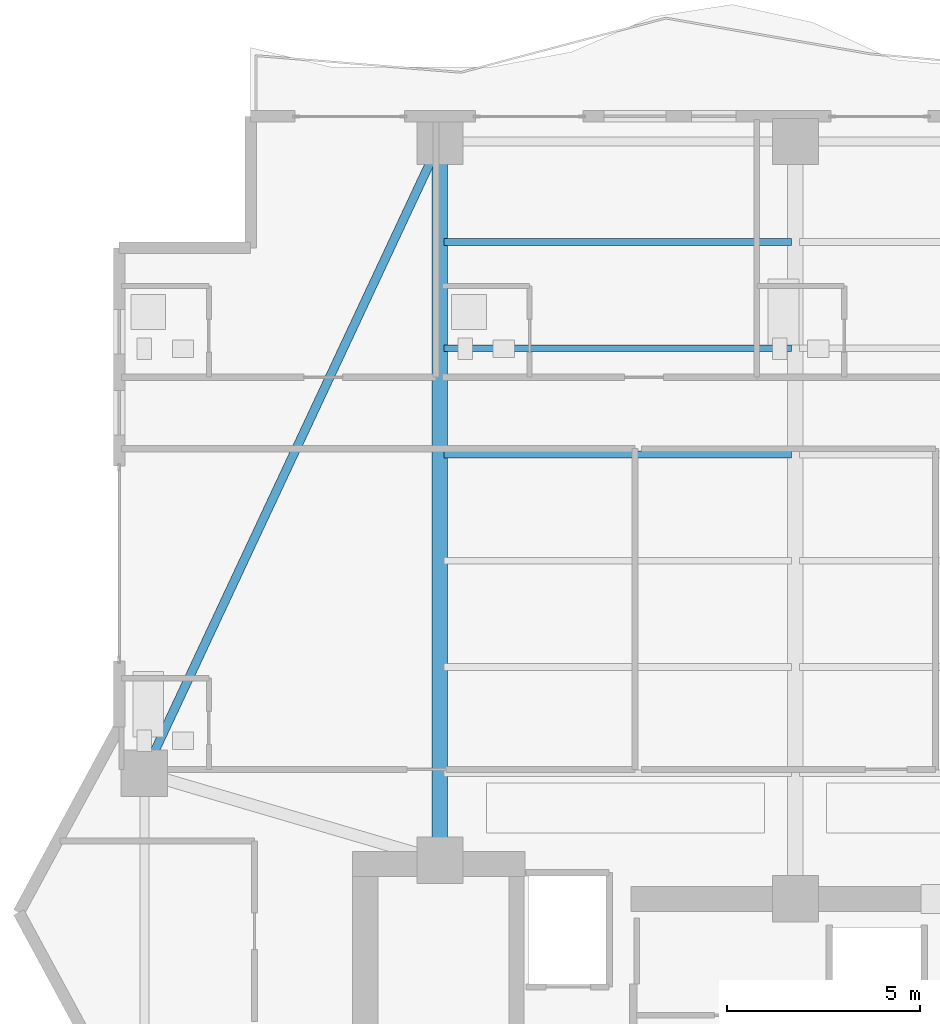
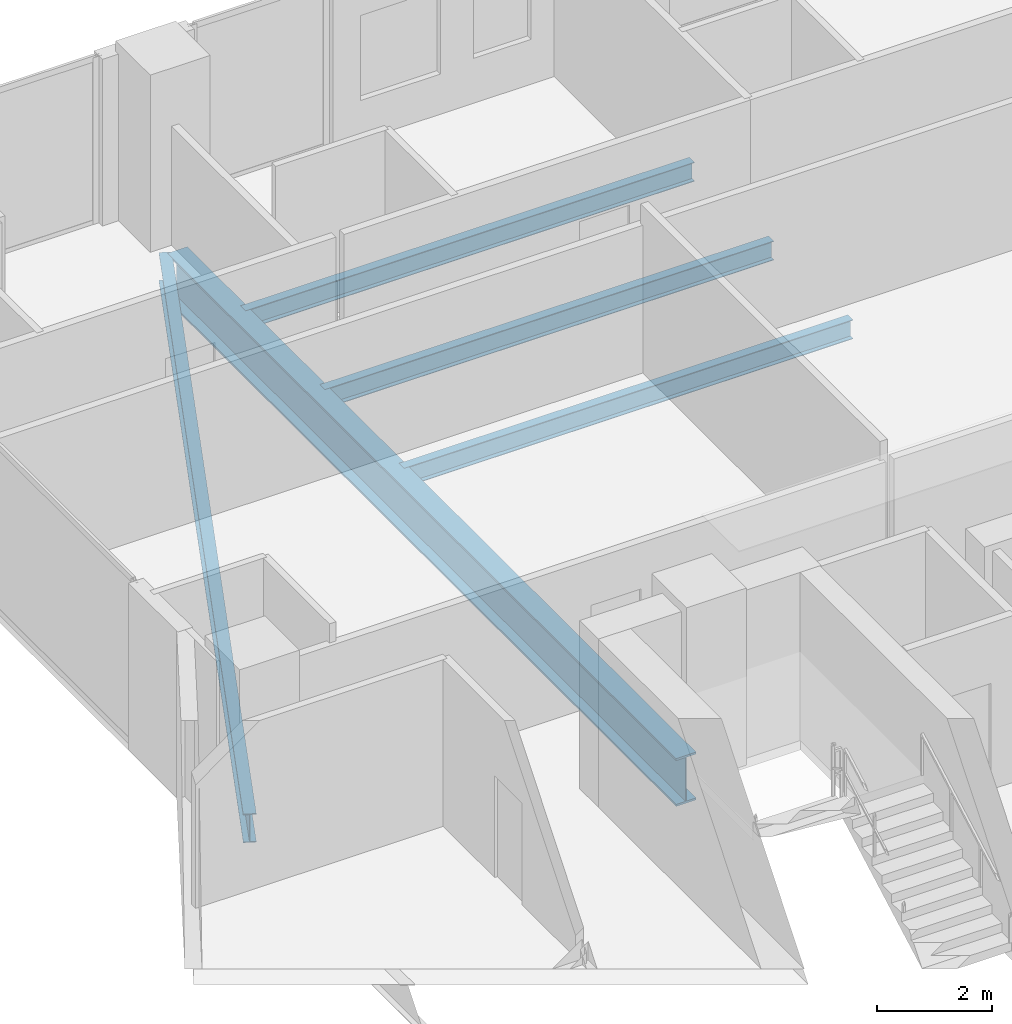
# One storey, part 16 of 32: 5 beams.
"""IFC4 building model written with IfcOpenShell, lengths in metres."""

from ifc_helpers import new_model, si_unit, direction, frame, origin, origin_2d, place, context, subcontext, project, spatial, i_section, extrude, material, material_profile, profile_set, type_object, element, save


model = new_model("IFC4")

# Units and contexts
model_context = context("Model", 3, precision=1e-05, world=origin(), true_north=direction((0.0, 1.0)))
body_context = subcontext(model_context, "Body", "Model", "MODEL_VIEW")
ifc_project = project(units=[si_unit("LENGTHUNIT", "METRE"), si_unit("AREAUNIT", "SQUARE_METRE"), si_unit("VOLUMEUNIT", "CUBIC_METRE"), si_unit("PLANEANGLEUNIT", "RADIAN"), si_unit("MASSUNIT", "GRAM", prefix="KILO")], contexts=[model_context])

# Site, building, storey
site_placement = place(None, origin())
site = spatial("IfcSite", under=ifc_project, at=site_placement, CompositionType="ELEMENT")
building_placement = place(site_placement, origin())
building = spatial("IfcBuilding", under=site, at=building_placement, Name="Zuhayl Quay Hotel", CompositionType="ELEMENT")
storey_placement = place(building_placement, frame((0.0, 0.0, 188.64990234375)))
storey = spatial("IfcBuildingStorey", under=building, at=storey_placement, Name="L47", CompositionType="ELEMENT", Elevation=188.64990234375)

# Beams
ifc_material = material(Name="Steel ASTM A992 Grade 50", Category="steel")
ifc_material_profile_1 = material_profile(ifc_material, i_section(OverallWidth=0.22802734375, OverallDepth=0.60693359375, WebThickness=0.01123046875, FlangeThickness=0.017333984375, at=origin_2d()), Name="W24X76")
ifc_profile_set_1 = profile_set([ifc_material_profile_1], Name="Steel ASTM A992 Grade 50")
beam_type_1 = type_object("IfcBeamType", Name="BM_B3_W24X76", PredefinedType="BEAM", material=ifc_profile_set_1)
beam_1_placement = place(storey_placement, frame((-14.011962890625, 32.4970703125, -0.5234375), z_axis=(-0.423792164429, -0.905759461098, 0.0), x_axis=(0.905759461098, -0.423792164429, 0.0)))
element("IfcBeam", 1, at=beam_1_placement, inside=storey, type_object=beam_type_1, Name="L47 Floor Beam RG_L47_10", PredefinedType="BEAM", context=body_context, shape_type="SweptSolid", body=[
    extrude(i_section(OverallWidth=0.22802734375, OverallDepth=0.60693359375, WebThickness=0.01123046875, FlangeThickness=0.017333984375, at=origin_2d()), origin(), (0.0, 0.0, 1.0), 17.051025390625),
])
ifc_material_profile_2 = material_profile(ifc_material, i_section(OverallWidth=0.177978515625, OverallDepth=0.406005859375, WebThickness=0.0078125, FlangeThickness=0.0126953125, at=origin_2d()), Name="W16X40")
ifc_profile_set_2 = profile_set([ifc_material_profile_2], Name="Steel ASTM A992 Grade 50")
beam_type_2 = type_object("IfcBeamType", Name="BM_J2B_W16X40", PredefinedType="JOIST", material=ifc_profile_set_2)
for number, where, z_axis, x_axis, name in (
    (2, (-13.694091796875, 24.85009765625, -0.4228515625), (1.0, 0.0, 0.0), (0.0, 1.0, 0.0), "L47 Floor Beam FJ_L47_4_1"),
    (3, (-13.694091796875, 27.60009765625, -0.4228515625), (1.0, 0.0, 0.0), (0.0, 1.0, 0.0), "L47 Floor Beam FJ_L47_5_1"),
    (4, (-13.694091796875, 30.35009765625, -0.4228515625), (1.0, 0.0, 0.0), (0.0, 1.0, 0.0), "L47 Floor Beam FJ_L47_6_1"),
):
    element("IfcBeam", number, at=place(storey_placement, frame(where, z_axis=z_axis, x_axis=x_axis)), inside=storey, type_object=beam_type_2, Name=name, PredefinedType="JOIST", context=body_context, shape_type="SweptSolid", body=[
        extrude(i_section(OverallWidth=0.177978515625, OverallDepth=0.406005859375, WebThickness=0.0078125, FlangeThickness=0.0126953125, at=origin_2d()), origin(), (0.0, 0.0, 1.0), 8.988037109375),
    ])
ifc_material_profile_3 = material_profile(ifc_material, i_section(OverallWidth=0.40087890625, OverallDepth=1.010986328125, WebThickness=0.023681640625, FlangeThickness=0.0419921875, at=origin_2d()), Name="W40X297")
ifc_profile_set_3 = profile_set([ifc_material_profile_3], Name="Steel ASTM A992 Grade 50")
beam_type_3 = type_object("IfcBeamType", Name="BM_TG2_W40X297", PredefinedType="BEAM", material=ifc_profile_set_3)
beam_2_placement = place(storey_placement, frame((-13.800048828125, 14.800048828125, -0.725341796875), z_axis=(0.0, 1.0, 0.0), x_axis=(-1.0, 0.0, 0.0)))
element("IfcBeam", 5, at=beam_2_placement, inside=storey, type_object=beam_type_3, Name="L47 Floor Beam FG_N_L47_1", PredefinedType="BEAM", context=body_context, shape_type="SweptSolid", body=[
    extrude(i_section(OverallWidth=0.40087890625, OverallDepth=1.010986328125, WebThickness=0.023681640625, FlangeThickness=0.0419921875, at=origin_2d()), origin(), (0.0, 0.0, 1.0), 17.64990234375),
])

save(model, "model.ifc")
